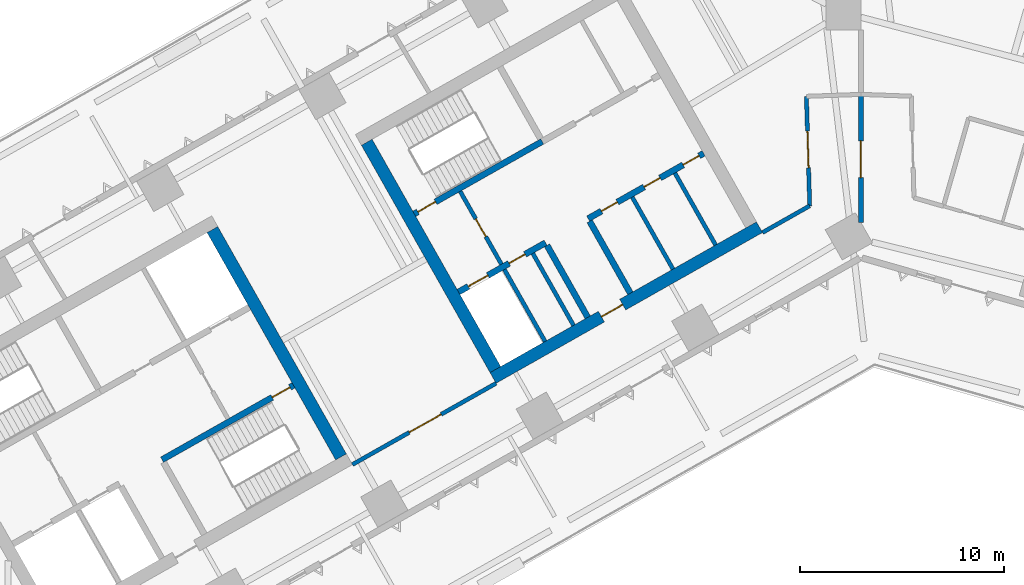
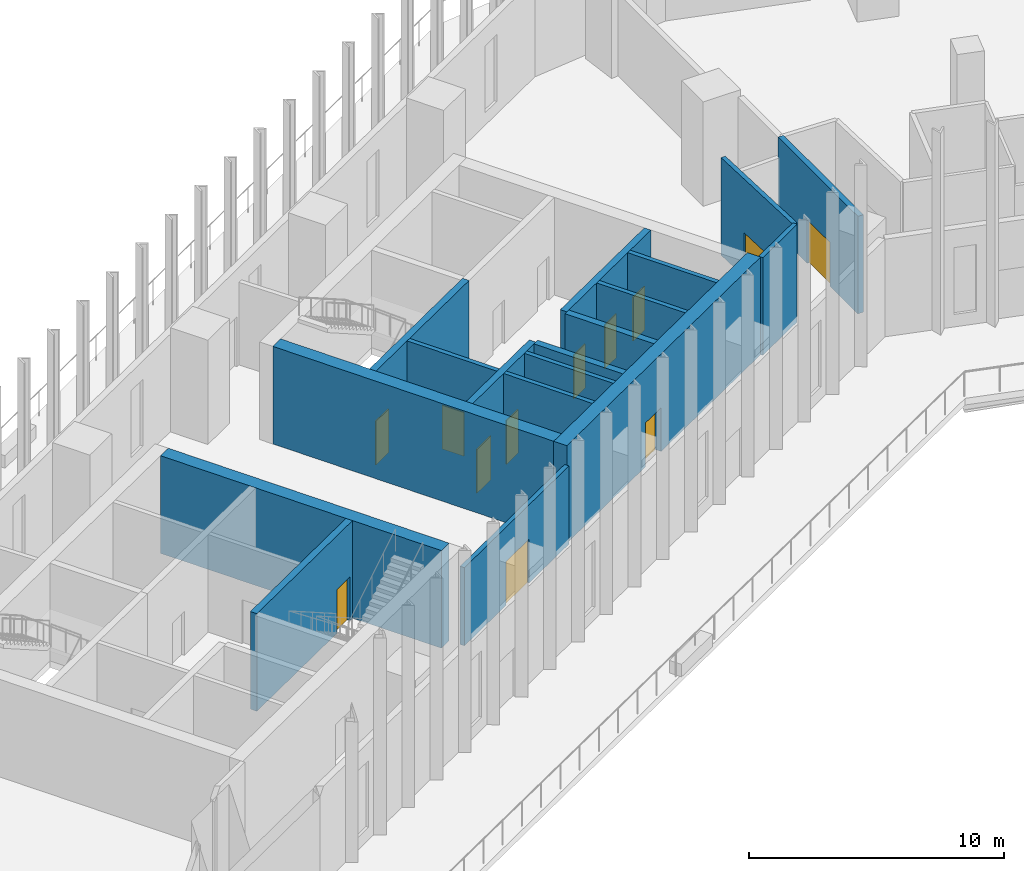
# One storey, part 6 of 17: 18 walls, 12 doors, 12 openings.
"""IFC4 building model written with IfcOpenShell, lengths in metres."""

from ifc_helpers import new_model, si_unit, direction, frame, frame_2d, origin, place, context, subcontext, project, spatial, rectangle, extrude, material, layer, layer_set, type_object, element, fill, save


model = new_model("IFC4")

# Units and contexts
model_context = context("Model", 3, precision=1e-05, world=origin(), true_north=direction((0.0, 1.0)))
body_context = subcontext(model_context, "Body", "Model", "MODEL_VIEW")
ifc_project = project(units=[si_unit("LENGTHUNIT", "METRE"), si_unit("AREAUNIT", "SQUARE_METRE"), si_unit("VOLUMEUNIT", "CUBIC_METRE"), si_unit("PLANEANGLEUNIT", "RADIAN"), si_unit("MASSUNIT", "GRAM", prefix="KILO")], contexts=[model_context])

# Site, building, storey
site_placement = place(None, origin())
site = spatial("IfcSite", under=ifc_project, at=site_placement, CompositionType="ELEMENT")
building_placement = place(site_placement, origin())
building = spatial("IfcBuilding", under=site, at=building_placement, Name="Binnacle Exchange Tower", CompositionType="ELEMENT")
storey_placement = place(building_placement, frame((0.0, 0.0, 26.5)))
storey = spatial("IfcBuildingStorey", under=building, at=storey_placement, Name="L05", CompositionType="ELEMENT", Elevation=26.5)

# Walls
ifc_material_1 = material(Name="Gypsum partition fire rated")
ifc_layer_1 = layer(ifc_material_1, 0.199951171875)
ifc_layer_set_1 = layer_set([ifc_layer_1], Name="Core partition 200")
wall_type_1 = type_object("IfcWallType", Name="Core partition 200", PredefinedType="PARTITIONING", material=ifc_layer_set_1)
wall_1_placement = place(storey_placement, frame((-11.201904296875, 50.96240234375, 0.0), z_axis=(0.0, 0.0, 1.0), x_axis=(0.49241474071, -0.870360685654, 0.0)))
element("IfcWall", 1, at=wall_1_placement, inside=storey, type_object=wall_type_1, Name="Core wall CRWC19", PredefinedType="PARTITIONING", context=body_context, shape_type="SweptSolid", body=[
    extrude(rectangle(XDim=4.05029296875, YDim=0.199951171875, at=frame_2d((2.025146484375, 0.0))), origin(), (0.0, 0.0, 1.0), 4.679931640625),
])
wall_2_placement = place(storey_placement, frame((-9.11279296875, 52.14404296875, 0.0), z_axis=(0.0, 0.0, 1.0), x_axis=(0.492394910396, -0.870371904542, 0.0)))
element("IfcWall", 2, at=wall_2_placement, inside=storey, type_object=wall_type_1, Name="Core wall CRWC22", PredefinedType="PARTITIONING", context=body_context, shape_type="SweptSolid", body=[
    extrude(rectangle(XDim=4.0498046875, YDim=0.199951171875, at=frame_2d((2.02490234375, 0.0))), origin(), (0.0, 0.0, 1.0), 4.679931640625),
])

# Wall, openings, doors
ifc_material_2 = material(Name="Concrete C70/85", Category="concrete")
ifc_layer_2 = layer(ifc_material_2, 0.300048828125)
ifc_layer_set_2 = layer_set([ifc_layer_2], Name="Core wall - front 300")
wall_type_2 = type_object("IfcWallType", Name="Core wall - front 300", PredefinedType="SOLIDWALL", material=ifc_layer_set_2)
wall_3_placement = place(storey_placement, frame((-19.718017578125, 46.31640625, 0.0), z_axis=(0.0, 0.0, 1.0), x_axis=(0.870353963862, 0.492426621528, 0.0)))
wall_3 = element("IfcWall", 3, at=wall_3_placement, inside=storey, type_object=wall_type_2, Name="Core wall CRWC2", PredefinedType="SOLIDWALL", context=body_context, shape_type="SweptSolid", body=[
    extrude(rectangle(XDim=4.89990234375, YDim=0.300048828125, at=frame_2d((2.449951171875, 0.0))), origin(), (0.0, 0.0, 1.0), 4.679931640625),
])
opening_1_placement = place(wall_3_placement, frame((0.550048828125, 0.0, 0.0)))
opening_1 = element("IfcOpeningElement", 4, at=opening_1_placement, cuts=wall_3, Name="Opening LD14", PredefinedType="OPENING", context=body_context, shape_type="SweptSolid", body=[
    extrude(rectangle(XDim=1.10009765625, YDim=2.10009765625, at=frame_2d((0.550048828125, 1.050048828125))), frame((0.0, 0.159912109375, 0.0), z_axis=(0.0, -1.0, 0.0), x_axis=(1.0, 0.0, 0.0)), (0.0, 0.0, 1.0), 0.320068359375),
])
opening_2_placement = place(wall_3_placement, frame((2.85009765625, 0.0, 0.0)))
opening_2 = element("IfcOpeningElement", 5, at=opening_2_placement, cuts=wall_3, Name="Opening DC14", PredefinedType="OPENING", context=body_context, shape_type="SweptSolid", body=[
    extrude(rectangle(XDim=0.89990234375, YDim=2.10009765625, at=frame_2d((0.449951171875, 1.050048828125))), frame((0.0, 0.159912109375, 0.0), z_axis=(0.0, -1.0, 0.0), x_axis=(1.0, 0.0, 0.0)), (0.0, 0.0, 1.0), 0.320068359375),
])
ifc_material_3 = material(Name="Steel door leaf", Category="steel")
door_type_1 = type_object("IfcDoorType", Name="Fire door - lift landing 1100", OperationType="NOTDEFINED", PredefinedType="DOOR", material=ifc_material_3)
door_1_placement = place(opening_1_placement, origin())
door_1 = element("IfcDoor", 6, at=door_1_placement, inside=storey, type_object=door_type_1, Name="Landing door LD14 L05", OperationType="DOUBLE_DOOR_SLIDING", OverallHeight=2.10009765625, OverallWidth=1.10009765625, PredefinedType="DOOR", context=body_context, shape_type="SweptSolid", body=[
    extrude(rectangle(XDim=1.10009765625, YDim=2.10009765625, at=frame_2d((0.550048828125, 1.050048828125))), frame((0.0, 0.02490234375, 0.0), z_axis=(0.0, -1.0, 0.0), x_axis=(1.0, 0.0, 0.0)), (0.0, 0.0, 1.0), 0.050048828125),
])
fill(opening_1, door_1)
door_type_2 = type_object("IfcDoorType", Name="Fire door 900", OperationType="NOTDEFINED", PredefinedType="DOOR", material=ifc_material_3)
door_2_placement = place(opening_2_placement, frame((0.89990234375, 0.0, 0.0), z_axis=(0.0, 0.0, 1.0), x_axis=(-1.0, 0.0, 0.0)))
door_2 = element("IfcDoor", 7, at=door_2_placement, inside=storey, type_object=door_type_2, Name="Core room door UPS CUPBOARD", OperationType="SINGLE_SWING_LEFT", OverallHeight=2.10009765625, OverallWidth=0.89990234375, PredefinedType="DOOR", context=body_context, shape_type="SweptSolid", body=[
    extrude(rectangle(XDim=0.89990234375, YDim=2.10009765625, at=frame_2d((0.449951171875, 1.050048828125))), frame((0.0, 0.02490234375, 0.0), z_axis=(0.0, -1.0, 0.0), x_axis=(1.0, 0.0, 0.0)), (0.0, 0.0, 1.0), 0.050048828125),
])
fill(opening_2, door_2)

wall_4_placement = place(storey_placement, frame((-13.364501953125, 49.910888671875, 0.0), z_axis=(0.0, 0.0, 1.0), x_axis=(0.870340995471, 0.49244954219, 0.0)))
wall_4 = element("IfcWall", 8, at=wall_4_placement, inside=storey, type_object=wall_type_2, Name="Core wall CRWC3", PredefinedType="SOLIDWALL", context=body_context, shape_type="SweptSolid", body=[
    extrude(rectangle(XDim=6.5, YDim=0.300048828125, at=frame_2d((3.25, 0.0))), origin(), (0.0, 0.0, 1.0), 4.679931640625),
])
opening_3_placement = place(wall_4_placement, frame((0.75, 0.0, 0.0)))
opening_3 = element("IfcOpeningElement", 9, at=opening_3_placement, cuts=wall_4, Name="Opening DC18", PredefinedType="OPENING", context=body_context, shape_type="SweptSolid", body=[
    extrude(rectangle(XDim=0.89990234375, YDim=2.10009765625, at=frame_2d((0.449951171875, 1.050048828125))), frame((0.0, 0.159912109375, 0.0), z_axis=(0.0, -1.0, 0.0), x_axis=(1.0, 0.0, 0.0)), (0.0, 0.0, 1.0), 0.320068359375),
])
opening_4_placement = place(wall_4_placement, frame((3.14990234375, 0.0, 0.0)))
opening_4 = element("IfcOpeningElement", 10, at=opening_4_placement, cuts=wall_4, Name="Opening DC19", PredefinedType="OPENING", context=body_context, shape_type="SweptSolid", body=[
    extrude(rectangle(XDim=0.89990234375, YDim=2.10009765625, at=frame_2d((0.449951171875, 1.050048828125))), frame((0.0, 0.159912109375, 0.0), z_axis=(0.0, -1.0, 0.0), x_axis=(1.0, 0.0, 0.0)), (0.0, 0.0, 1.0), 0.320068359375),
])
opening_5_placement = place(wall_4_placement, frame((5.35009765625, 0.0, 0.0)))
opening_5 = element("IfcOpeningElement", 11, at=opening_5_placement, cuts=wall_4, Name="Opening DC20", PredefinedType="OPENING", context=body_context, shape_type="SweptSolid", body=[
    extrude(rectangle(XDim=0.89990234375, YDim=2.10009765625, at=frame_2d((0.449951171875, 1.050048828125))), frame((0.0, 0.159912109375, 0.0), z_axis=(0.0, -1.0, 0.0), x_axis=(1.0, 0.0, 0.0)), (0.0, 0.0, 1.0), 0.320068359375),
])
door_3_placement = place(opening_3_placement, frame((0.89990234375, 0.0, 0.0), z_axis=(0.0, 0.0, 1.0), x_axis=(-1.0, 0.0, 0.0)))
door_3 = element("IfcDoor", 12, at=door_3_placement, inside=storey, type_object=door_type_2, Name="Core room door FIBRE ENTRY ROOM", OperationType="SINGLE_SWING_RIGHT", OverallHeight=2.10009765625, OverallWidth=0.89990234375, PredefinedType="DOOR", context=body_context, shape_type="SweptSolid", body=[
    extrude(rectangle(XDim=0.89990234375, YDim=2.10009765625, at=frame_2d((0.449951171875, 1.050048828125))), frame((0.0, 0.02490234375, 0.0), z_axis=(0.0, -1.0, 0.0), x_axis=(1.0, 0.0, 0.0)), (0.0, 0.0, 1.0), 0.050048828125),
])
fill(opening_3, door_3)
door_4_placement = place(opening_4_placement, frame((0.89990234375, 0.0, 0.0), z_axis=(0.0, 0.0, 1.0), x_axis=(-1.0, 0.0, 0.0)))
door_4 = element("IfcDoor", 13, at=door_4_placement, inside=storey, type_object=door_type_2, Name="Core room door ELECTRICAL ROOM", OperationType="SINGLE_SWING_LEFT", OverallHeight=2.10009765625, OverallWidth=0.89990234375, PredefinedType="DOOR", context=body_context, shape_type="SweptSolid", body=[
    extrude(rectangle(XDim=0.89990234375, YDim=2.10009765625, at=frame_2d((0.449951171875, 1.050048828125))), frame((0.0, 0.02490234375, 0.0), z_axis=(0.0, -1.0, 0.0), x_axis=(1.0, 0.0, 0.0)), (0.0, 0.0, 1.0), 0.050048828125),
])
fill(opening_4, door_4)
door_5_placement = place(opening_5_placement, frame((0.89990234375, 0.0, 0.0), z_axis=(0.0, 0.0, 1.0), x_axis=(-1.0, 0.0, 0.0)))
door_5 = element("IfcDoor", 14, at=door_5_placement, inside=storey, type_object=door_type_2, Name="Core room door COMMS RISER ROOM", OperationType="SINGLE_SWING_LEFT", OverallHeight=2.10009765625, OverallWidth=0.89990234375, PredefinedType="DOOR", context=body_context, shape_type="SweptSolid", body=[
    extrude(rectangle(XDim=0.89990234375, YDim=2.10009765625, at=frame_2d((0.449951171875, 1.050048828125))), frame((0.0, 0.02490234375, 0.0), z_axis=(0.0, -1.0, 0.0), x_axis=(1.0, 0.0, 0.0)), (0.0, 0.0, 1.0), 0.050048828125),
])
fill(opening_5, door_5)

# Walls
for number, where, z_axis, x_axis, name in (
    (15, (-15.37939453125, 48.5986328125, 0.0), (0.0, 0.0, 1.0), (0.492394910396, -0.870371904542, 0.0), "Core wall CRWC13"),
    (16, (-13.29052734375, 49.780517578125, 0.0), (0.0, 0.0, 1.0), (0.492394910396, -0.870371904542, 0.0), "Core wall CRWC15"),
):
    element("IfcWall", number, at=place(storey_placement, frame(where, z_axis=z_axis, x_axis=x_axis)), inside=storey, type_object=wall_type_2, Name=name, PredefinedType="SOLIDWALL", context=body_context, shape_type="SweptSolid", body=[
        extrude(rectangle(XDim=4.0498046875, YDim=0.300048828125, at=frame_2d((2.02490234375, 0.0))), origin(), (0.0, 0.0, 1.0), 4.679931640625),
    ])
ifc_layer_3 = layer(ifc_material_2, 0.60009765625)
ifc_layer_set_3 = layer_set([ifc_layer_3], Name="Core wall - outer 600")
wall_type_3 = type_object("IfcWallType", Name="Core wall - outer 600", PredefinedType="SOLIDWALL", material=ifc_layer_set_3)
wall_5_placement = place(storey_placement, frame((-31.7783203125, 49.3740234375, 0.0), z_axis=(0.0, 0.0, 1.0), x_axis=(0.492433046652, -0.870350328641, 0.0)))
element("IfcWall", 17, at=wall_5_placement, inside=storey, type_object=wall_type_3, Name="Core wall CRWA22", PredefinedType="SOLIDWALL", context=body_context, shape_type="SweptSolid", body=[
    extrude(rectangle(XDim=12.800048828125, YDim=0.60009765625, at=frame_2d((6.39990234375, 0.0))), origin(), (0.0, 0.0, 1.0), 4.679931640625),
])

# Wall, opening, door
wall_6_placement = place(storey_placement, frame((-18.0244140625, 42.104248046875, 0.0), z_axis=(0.0, 0.0, 1.0), x_axis=(0.870360574057, 0.492414937962, 0.0)))
wall_6 = element("IfcWall", 18, at=wall_6_placement, inside=storey, type_object=wall_type_3, Name="Core wall CRWC1", PredefinedType="SOLIDWALL", context=body_context, shape_type="SweptSolid", body=[
    extrude(rectangle(XDim=15.0, YDim=0.60009765625, at=frame_2d((7.5, 0.0))), origin(), (0.0, 0.0, 1.0), 4.679931640625),
])
opening_6_placement = place(wall_6_placement, frame((6.10009765625, 0.0, 0.0)))
opening_6 = element("IfcOpeningElement", 19, at=opening_6_placement, cuts=wall_6, Name="Opening DC7", PredefinedType="OPENING", context=body_context, shape_type="SweptSolid", body=[
    extrude(rectangle(XDim=1.199951171875, YDim=2.10009765625, at=frame_2d((0.60009765625, 1.050048828125))), frame((0.0, 0.31005859375, 0.0), z_axis=(0.0, -1.0, 0.0), x_axis=(1.0, 0.0, 0.0)), (0.0, 0.0, 1.0), 0.6201171875),
])
door_type_3 = type_object("IfcDoorType", Name="Fire door 1200", OperationType="NOTDEFINED", PredefinedType="DOOR", material=ifc_material_3)
door_6_placement = place(opening_6_placement, frame((1.199951171875, 0.0, 0.0), z_axis=(0.0, 0.0, 1.0), x_axis=(-1.0, 0.0, 0.0)))
door_6 = element("IfcDoor", 20, at=door_6_placement, inside=storey, type_object=door_type_3, Name="Lift lobby entrance door core C", OperationType="SINGLE_SWING_RIGHT", OverallHeight=2.10009765625, OverallWidth=1.199951171875, PredefinedType="DOOR", context=body_context, shape_type="SweptSolid", body=[
    extrude(rectangle(XDim=1.199951171875, YDim=2.10009765625, at=frame_2d((0.60009765625, 1.050048828125))), frame((0.0, 0.02490234375, 0.0), z_axis=(0.0, -1.0, 0.0), x_axis=(1.0, 0.0, 0.0)), (0.0, 0.0, 1.0), 0.050048828125),
])
fill(opening_6, door_6)

# Wall
wall_7_placement = place(storey_placement, frame((-24.214111328125, 53.653564453125, 0.0), z_axis=(0.0, 0.0, 1.0), x_axis=(0.492441221355, -0.870345703448, 0.0)))
element("IfcWall", 21, at=wall_7_placement, inside=storey, type_object=wall_type_3, Name="Core wall CRWC7", PredefinedType="SOLIDWALL", context=body_context, shape_type="SweptSolid", body=[
    extrude(rectangle(XDim=12.800048828125, YDim=0.60009765625, at=frame_2d((6.39990234375, 0.0))), origin(), (0.0, 0.0, 1.0), 4.679931640625),
])

# Wall, opening, door
ifc_layer_4 = layer(ifc_material_2, 0.300048828125)
ifc_layer_set_4 = layer_set([ifc_layer_4], Name="Core wall - stair 300")
wall_type_4 = type_object("IfcWallType", Name="Core wall - stair 300", PredefinedType="SOLIDWALL", material=ifc_layer_set_4)
wall_8_placement = place(storey_placement, frame((-34.2451171875, 38.097412109375, 0.0), z_axis=(0.0, 0.0, 1.0), x_axis=(0.870364910201, 0.492407273597, 0.0)))
wall_8 = element("IfcWall", 22, at=wall_8_placement, inside=storey, type_object=wall_type_4, Name="Core wall CRWA3", PredefinedType="SOLIDWALL", context=body_context, shape_type="SweptSolid", body=[
    extrude(rectangle(XDim=7.39990234375, YDim=0.300048828125, at=frame_2d((3.699951171875, 0.0))), origin(), (0.0, 0.0, 1.0), 4.679931640625),
])
opening_7_placement = place(wall_8_placement, frame((6.199951171875, 0.0, 0.0)))
opening_7 = element("IfcOpeningElement", 23, at=opening_7_placement, cuts=wall_8, Name="Opening DA2", PredefinedType="OPENING", context=body_context, shape_type="SweptSolid", body=[
    extrude(rectangle(XDim=1.0, YDim=2.10009765625, at=frame_2d((0.5, 1.050048828125))), frame((0.0, 0.159912109375, 0.0), z_axis=(0.0, -1.0, 0.0), x_axis=(1.0, 0.0, 0.0)), (0.0, 0.0, 1.0), 0.320068359375),
])
door_type_4 = type_object("IfcDoorType", Name="Fire door 1000", OperationType="NOTDEFINED", PredefinedType="DOOR", material=ifc_material_3)
door_7_placement = place(opening_7_placement, frame((1.0, 0.0, 0.0), z_axis=(0.0, 0.0, 1.0), x_axis=(-1.0, 0.0, 0.0)))
door_7 = element("IfcDoor", 24, at=door_7_placement, inside=storey, type_object=door_type_4, Name="Stair door ST-A2", OperationType="SINGLE_SWING_LEFT", OverallHeight=2.10009765625, OverallWidth=1.0, PredefinedType="DOOR", context=body_context, shape_type="SweptSolid", body=[
    extrude(rectangle(XDim=1.0, YDim=2.10009765625, at=frame_2d((0.5, 1.050048828125))), frame((0.0, 0.02490234375, 0.0), z_axis=(0.0, -1.0, 0.0), x_axis=(1.0, 0.0, 0.0)), (0.0, 0.0, 1.0), 0.050048828125),
])
fill(opening_7, door_7)

wall_9_placement = place(storey_placement, frame((-21.884765625, 50.14599609375, 0.0), z_axis=(0.0, 0.0, 1.0), x_axis=(0.870359411463, 0.492416992881, 0.0)))
wall_9 = element("IfcWall", 25, at=wall_9_placement, inside=storey, type_object=wall_type_4, Name="Core wall CRWC4", PredefinedType="SOLIDWALL", context=body_context, shape_type="SweptSolid", body=[
    extrude(rectangle(XDim=7.199951171875, YDim=0.300048828125, at=frame_2d((3.60009765625, 0.0))), origin(), (0.0, 0.0, 1.0), 4.679931640625),
])
opening_8_placement = place(wall_9_placement, frame((0.199951171875, 0.0, 0.0)))
opening_8 = element("IfcOpeningElement", 26, at=opening_8_placement, cuts=wall_9, Name="Opening DC1", PredefinedType="OPENING", context=body_context, shape_type="SweptSolid", body=[
    extrude(rectangle(XDim=1.0, YDim=2.10009765625, at=frame_2d((0.5, 1.050048828125))), frame((0.0, 0.159912109375, 0.0), z_axis=(0.0, -1.0, 0.0), x_axis=(1.0, 0.0, 0.0)), (0.0, 0.0, 1.0), 0.320068359375),
])
door_8_placement = place(opening_8_placement, origin())
door_8 = element("IfcDoor", 27, at=door_8_placement, inside=storey, type_object=door_type_4, Name="Stair door ST-C1", OperationType="SINGLE_SWING_LEFT", OverallHeight=2.10009765625, OverallWidth=1.0, PredefinedType="DOOR", context=body_context, shape_type="SweptSolid", body=[
    extrude(rectangle(XDim=1.0, YDim=2.10009765625, at=frame_2d((0.5, 1.050048828125))), frame((0.0, 0.02490234375, 0.0), z_axis=(0.0, -1.0, 0.0), x_axis=(1.0, 0.0, 0.0)), (0.0, 0.0, 1.0), 0.050048828125),
])
fill(opening_8, door_8)

ifc_material_4 = material(Name="Masonry block wall", Category="masonry")
ifc_layer_5 = layer(ifc_material_4, 0.199951171875)
ifc_layer_set_5 = layer_set([ifc_layer_5], Name="Fire wall - block 200")
wall_type_5 = type_object("IfcWallType", Name="Fire wall - block 200", PredefinedType="PARTITIONING", material=ifc_layer_set_5)
wall_10_placement = place(storey_placement, frame((-24.9189453125, 37.85888671875, 0.0), z_axis=(0.0, 0.0, 1.0), x_axis=(0.870357635969, 0.492420131098, 0.0)))
wall_10 = element("IfcWall", 28, at=wall_10_placement, inside=storey, type_object=wall_type_5, Name="Partition W04", PredefinedType="PARTITIONING", context=body_context, shape_type="SweptSolid", body=[
    extrude(rectangle(XDim=8.0908203125, YDim=0.199951171875, at=frame_2d((4.04541015625, 0.0))), origin(), (0.0, 0.0, 1.0), 3.748046875),
])
opening_9_placement = place(wall_10_placement, frame((3.199951171875, 0.0, 0.0)))
opening_9 = element("IfcOpeningElement", 29, at=opening_9_placement, cuts=wall_10, Name="Opening DL05-02", PredefinedType="OPENING", context=body_context, shape_type="SweptSolid", body=[
    extrude(rectangle(XDim=1.800048828125, YDim=2.10009765625, at=frame_2d((0.89990234375, 1.050048828125))), frame((0.0, 0.10986328125, 0.0), z_axis=(0.0, -1.0, 0.0), x_axis=(1.0, 0.0, 0.0)), (0.0, 0.0, 1.0), 0.219970703125),
])
door_type_5 = type_object("IfcDoorType", Name="Fire door 1800", OperationType="NOTDEFINED", PredefinedType="DOOR", material=ifc_material_3)
door_9_placement = place(opening_9_placement, origin())
door_9 = element("IfcDoor", 30, at=door_9_placement, inside=storey, type_object=door_type_5, Name="Door DL05-02", OperationType="DOUBLE_DOOR_SINGLE_SWING", OverallHeight=2.10009765625, OverallWidth=1.800048828125, PredefinedType="DOOR", context=body_context, shape_type="SweptSolid", body=[
    extrude(rectangle(XDim=1.800048828125, YDim=2.10009765625, at=frame_2d((0.89990234375, 1.050048828125))), frame((0.0, 0.02490234375, 0.0), z_axis=(0.0, -1.0, 0.0), x_axis=(1.0, 0.0, 0.0)), (0.0, 0.0, 1.0), 0.050048828125),
])
fill(opening_9, door_9)

# Wall
wall_11_placement = place(storey_placement, frame((-4.821044921875, 49.22998046875, 0.0), z_axis=(0.0, 0.0, 1.0), x_axis=(0.870371217631, 0.492396124598, 0.0)))
element("IfcWall", 31, at=wall_11_placement, inside=storey, type_object=wall_type_5, Name="Partition W06", PredefinedType="PARTITIONING", context=body_context, shape_type="SweptSolid", body=[
    extrude(rectangle(XDim=2.65869140625, YDim=0.199951171875, at=frame_2d((1.329345703125, 0.0))), origin(), (0.0, 0.0, 1.0), 4.679931640625),
])

# Wall, opening, door
wall_12_placement = place(storey_placement, frame((-2.669921875, 55.904052734375, 0.0), z_axis=(0.0, 0.0, 1.0), x_axis=(0.030338701418, -0.999539675649, 0.0)))
wall_12 = element("IfcWall", 32, at=wall_12_placement, inside=storey, type_object=wall_type_5, Name="Partition W07", PredefinedType="PARTITIONING", context=body_context, shape_type="SweptSolid", body=[
    extrude(rectangle(XDim=5.367431640625, YDim=0.199951171875, at=frame_2d((2.68359375, 0.0))), origin(), (0.0, 0.0, 1.0), 4.679931640625),
])
opening_10_placement = place(wall_12_placement, frame((1.699951171875, 0.0, 0.0)))
opening_10 = element("IfcOpeningElement", 33, at=opening_10_placement, cuts=wall_12, Name="Opening DL05-03", PredefinedType="OPENING", context=body_context, shape_type="SweptSolid", body=[
    extrude(rectangle(XDim=1.800048828125, YDim=2.10009765625, at=frame_2d((0.89990234375, 1.050048828125))), frame((0.0, 0.10986328125, 0.0), z_axis=(0.0, -1.0, 0.0), x_axis=(1.0, 0.0, 0.0)), (0.0, 0.0, 1.0), 0.219970703125),
])
door_10_placement = place(opening_10_placement, frame((1.800048828125, 0.0, 0.0), z_axis=(0.0, 0.0, 1.0), x_axis=(-1.0, 0.0, 0.0)))
door_10 = element("IfcDoor", 34, at=door_10_placement, inside=storey, type_object=door_type_5, Name="Door DL05-03", OperationType="DOUBLE_DOOR_SINGLE_SWING", OverallHeight=2.10009765625, OverallWidth=1.800048828125, PredefinedType="DOOR", context=body_context, shape_type="SweptSolid", body=[
    extrude(rectangle(XDim=1.800048828125, YDim=2.10009765625, at=frame_2d((0.89990234375, 1.050048828125))), frame((0.0, 0.02490234375, 0.0), z_axis=(0.0, -1.0, 0.0), x_axis=(1.0, 0.0, 0.0)), (0.0, 0.0, 1.0), 0.050048828125),
])
fill(opening_10, door_10)

ifc_material_5 = material(Name="Concrete fire wall C30/37", Category="concrete")
ifc_layer_6 = layer(ifc_material_5, 0.25)
ifc_layer_set_6 = layer_set([ifc_layer_6], Name="Fire wall - compartment 250")
wall_type_6 = type_object("IfcWallType", Name="Fire wall - compartment 250", PredefinedType="PARTITIONING", material=ifc_layer_set_6)
wall_13_placement = place(storey_placement, frame((0.0, 49.72607421875, 0.0), z_axis=(0.0, 0.0, 1.0), x_axis=(0.0, 1.0, 0.0)))
wall_13 = element("IfcWall", 35, at=wall_13_placement, inside=storey, type_object=wall_type_6, Name="Fire Wall W09", PredefinedType="PARTITIONING", context=body_context, shape_type="SweptSolid", body=[
    extrude(rectangle(XDim=6.27392578125, YDim=0.25, at=frame_2d((3.136962890625, 0.0))), origin(), (0.0, 0.0, 1.0), 4.679931640625),
])
opening_11_placement = place(wall_13_placement, frame((2.199951171875, 0.0, 0.0)))
opening_11 = element("IfcOpeningElement", 36, at=opening_11_placement, cuts=wall_13, Name="Opening DL05-12", PredefinedType="OPENING", context=body_context, shape_type="SweptSolid", body=[
    extrude(rectangle(XDim=1.800048828125, YDim=2.10009765625, at=frame_2d((0.89990234375, 1.050048828125))), frame((0.0, 0.135009765625, 0.0), z_axis=(0.0, -1.0, 0.0), x_axis=(1.0, 0.0, 0.0)), (0.0, 0.0, 1.0), 0.27001953125),
])
door_11_placement = place(opening_11_placement, origin())
door_11 = element("IfcDoor", 37, at=door_11_placement, inside=storey, type_object=door_type_5, Name="Door DL05-12", OperationType="DOUBLE_DOOR_SINGLE_SWING", OverallHeight=2.10009765625, OverallWidth=1.800048828125, PredefinedType="DOOR", context=body_context, shape_type="SweptSolid", body=[
    extrude(rectangle(XDim=1.800048828125, YDim=2.10009765625, at=frame_2d((0.89990234375, 1.050048828125))), frame((0.0, 0.02490234375, 0.0), z_axis=(0.0, -1.0, 0.0), x_axis=(1.0, 0.0, 0.0)), (0.0, 0.0, 1.0), 0.050048828125),
])
fill(opening_11, door_11)

ifc_layer_7 = layer(ifc_material_4, 0.199951171875)
ifc_layer_set_7 = layer_set([ifc_layer_7], Name="Fire wall - vestibule 200")
wall_type_7 = type_object("IfcWallType", Name="Fire wall - vestibule 200", PredefinedType="PARTITIONING", material=ifc_layer_set_7)
wall_14_placement = place(storey_placement, frame((-19.635009765625, 51.246337890625, 0.0), z_axis=(0.0, 0.0, 1.0), x_axis=(0.492408451753, -0.87036424366, 0.0)))
wall_14 = element("IfcWall", 38, at=wall_14_placement, inside=storey, type_object=wall_type_7, Name="Core wall CRWC10", PredefinedType="PARTITIONING", context=body_context, shape_type="SweptSolid", body=[
    extrude(rectangle(XDim=4.099853515625, YDim=0.199951171875, at=frame_2d((2.0498046875, 0.0))), origin(), (0.0, 0.0, 1.0), 4.679931640625),
])
opening_12_placement = place(wall_14_placement, frame((1.550048828125, 0.0, 0.0)))
opening_12 = element("IfcOpeningElement", 39, at=opening_12_placement, cuts=wall_14, Name="Opening DC3", PredefinedType="OPENING", context=body_context, shape_type="SweptSolid", body=[
    extrude(rectangle(XDim=1.0, YDim=2.10009765625, at=frame_2d((0.5, 1.050048828125))), frame((0.0, 0.10986328125, 0.0), z_axis=(0.0, -1.0, 0.0), x_axis=(1.0, 0.0, 0.0)), (0.0, 0.0, 1.0), 0.219970703125),
])
door_12_placement = place(opening_12_placement, frame((1.0, 0.0, 0.0), z_axis=(0.0, 0.0, 1.0), x_axis=(-1.0, 0.0, 0.0)))
door_12 = element("IfcDoor", 40, at=door_12_placement, inside=storey, type_object=door_type_4, Name="Vestibule door VEST-W", OperationType="SINGLE_SWING_RIGHT", OverallHeight=2.10009765625, OverallWidth=1.0, PredefinedType="DOOR", context=body_context, shape_type="SweptSolid", body=[
    extrude(rectangle(XDim=1.0, YDim=2.10009765625, at=frame_2d((0.5, 1.050048828125))), frame((0.0, 0.02490234375, 0.0), z_axis=(0.0, -1.0, 0.0), x_axis=(1.0, 0.0, 0.0)), (0.0, 0.0, 1.0), 0.050048828125),
])
fill(opening_12, door_12)

# Walls
ifc_layer_8 = layer(ifc_material_4, 0.199951171875)
ifc_layer_set_8 = layer_set([ifc_layer_8], Name="Riser wall 200")
wall_type_8 = type_object("IfcWallType", Name="Riser wall 200", PredefinedType="SOLIDWALL", material=ifc_layer_set_8)
wall_15_placement = place(storey_placement, frame((-16.07568359375, 48.20458984375, 0.0), z_axis=(0.0, 0.0, 1.0), x_axis=(0.492394910396, -0.870371904542, 0.0)))
element("IfcWall", 41, at=wall_15_placement, inside=storey, type_object=wall_type_8, Name="Core wall CRWC12", PredefinedType="SOLIDWALL", context=body_context, shape_type="SweptSolid", body=[
    extrude(rectangle(XDim=4.0498046875, YDim=0.199951171875, at=frame_2d((2.02490234375, 0.0))), origin(), (0.0, 0.0, 1.0), 4.679931640625),
])
ifc_layer_9 = layer(ifc_material_4, 0.199951171875)
ifc_layer_set_9 = layer_set([ifc_layer_9], Name="Shaft wall 200")
wall_type_9 = type_object("IfcWallType", Name="Shaft wall 200", PredefinedType="SOLIDWALL", material=ifc_layer_set_9)
wall_16_placement = place(storey_placement, frame((-17.468505859375, 47.416748046875, 0.0), z_axis=(0.0, 0.0, 1.0), x_axis=(0.492440575896, -0.870346068648, 0.0)))
element("IfcWall", 42, at=wall_16_placement, inside=storey, type_object=wall_type_9, Name="Core wall CRWC9", PredefinedType="SOLIDWALL", context=body_context, shape_type="SweptSolid", body=[
    extrude(rectangle(XDim=4.050048828125, YDim=0.199951171875, at=frame_2d((2.02490234375, 0.0))), origin(), (0.0, 0.0, 1.0), 4.679931640625),
])

save(model, "model.ifc")
